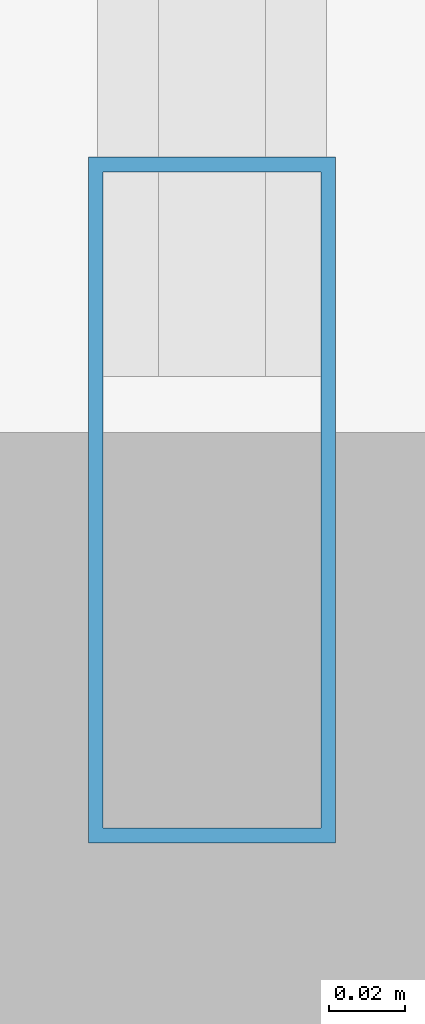
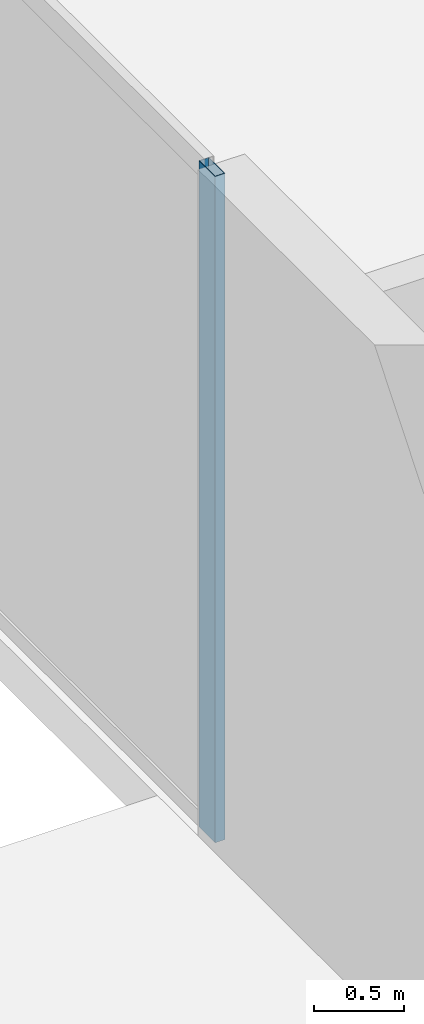
# One storey, part 12 of 58: 1 member, 1 element without a shape of its own.
"""IFC4 building model written with IfcOpenShell, lengths in metres."""

import ifcopenshell
import ifcopenshell.guid

model = None  # the IFC model being written
_history = None  # IfcOwnerHistory: only IFC2X3 demands one
_inside = {}  # id of a spatial element -> (the spatial element, [elements in it])
_under = {}  # id of a project, library or spatial element -> (it, [spatial elements below it])
_declared = {}  # id of a project -> (the project, [libraries it declares])
_typed = {}  # id of a type object -> (the type object, [elements of that type])
_made_of = {}  # id of a material, layer set ... -> (it, [elements and type objects made of it])


def new_model(schema):
    """Start an empty IFC model of exactly this schema.

    Asked for "IFC4X3", IfcOpenShell would pick the latest addendum, in which some entities
    have other attributes; the version numbers below select the first issue.
    IFC2X3 requires an IfcOwnerHistory on every rooted entity: one is made here for all.
    """
    global model, _history
    if schema == "IFC4X3":
        model = ifcopenshell.file(schema_version=(4, 3, 0, 0))
    else:
        model = ifcopenshell.file(schema=schema)
    _inside.clear()
    _under.clear()
    _declared.clear()
    _typed.clear()
    _made_of.clear()
    _history = None
    if model.schema == "IFC2X3":
        org = make("IfcOrganization", Name="unknown")
        user = make(
            "IfcPersonAndOrganization",
            ThePerson=make("IfcPerson", FamilyName="unknown"),
            TheOrganization=org,
        )
        app = make(
            "IfcApplication",
            ApplicationDeveloper=org,
            Version="unknown",
            ApplicationFullName="unknown",
            ApplicationIdentifier="unknown",
        )
        _history = make(
            "IfcOwnerHistory",
            OwningUser=user,
            OwningApplication=app,
            ChangeAction="ADDED",
            CreationDate=0,
        )
    return model


def make(cls, **values):
    """One entity of the class cls with the attributes given. An attribute that is None is left unset."""
    return model.create_entity(
        cls, **{name: value for name, value in values.items() if value is not None}
    )


def rooted(cls, **values):
    """An entity with a GlobalId (a new one), such as an element, a storey or a relation."""
    return make(cls, GlobalId=ifcopenshell.guid.new(), OwnerHistory=_history, **values)


def si_unit(unit_type, name, prefix=None):
    """IfcSIUnit, for example si_unit("LENGTHUNIT", "METRE", prefix="MILLI")."""
    return make("IfcSIUnit", UnitType=unit_type, Prefix=prefix, Name=name)


def assignment(units):
    """IfcUnitAssignment: the units of a project."""
    return None if units is None else make("IfcUnitAssignment", Units=units)


def point(xyz):
    """IfcCartesianPoint."""
    return None if xyz is None else make("IfcCartesianPoint", Coordinates=xyz)


def direction(xyz):
    """IfcDirection."""
    return None if xyz is None else make("IfcDirection", DirectionRatios=xyz)


def frame(location, z_axis=None, x_axis=None):
    """IfcAxis2Placement3D, a coordinate frame: its origin and axes. An axis left out is left unset."""
    return make(
        "IfcAxis2Placement3D",
        Location=point(location),
        Axis=direction(z_axis),
        RefDirection=direction(x_axis),
    )


def frame_2d(location, x_axis=None):
    """IfcAxis2Placement2D, a coordinate frame in the plane: its origin and x axis."""
    return make(
        "IfcAxis2Placement2D", Location=point(location), RefDirection=direction(x_axis)
    )


def origin():
    """The frame at (0, 0, 0) with its axes left unset."""
    return frame((0.0, 0.0, 0.0))


def origin_2d():
    """The frame at (0, 0) in the plane with its x axis left unset."""
    return frame_2d((0.0, 0.0))


def place(relative_to, where):
    """IfcLocalPlacement: puts the frame where relative to a parent placement (None: the world)."""
    return make(
        "IfcLocalPlacement", PlacementRelTo=relative_to, RelativePlacement=where
    )


def context(
    kind, dimensions, precision=None, world=None, true_north=None, identifier=None
):
    """IfcGeometricRepresentationContext, for example the 3D "Model" context."""
    return make(
        "IfcGeometricRepresentationContext",
        ContextIdentifier=identifier,
        ContextType=kind,
        CoordinateSpaceDimension=dimensions,
        Precision=precision,
        WorldCoordinateSystem=world,
        TrueNorth=true_north,
    )


def subcontext(parent, identifier, kind, view, scale=None):
    """IfcGeometricRepresentationSubContext, for example "Body" below "Model"."""
    return make(
        "IfcGeometricRepresentationSubContext",
        ContextIdentifier=identifier,
        ContextType=kind,
        ParentContext=parent,
        TargetScale=scale,
        TargetView=view,
    )


def project(units=None, contexts=None):
    """IfcProject with its units and contexts."""
    return rooted(
        "IfcProject",
        Name="project",
        RepresentationContexts=contexts,
        UnitsInContext=assignment(units),
    )


def spatial(cls, under=None, at=None, **own):
    """A site, building, storey or space (cls), placed at a placement, below another one or the project."""
    s = rooted(cls, ObjectPlacement=at, **own)
    if under is not None:
        _under.setdefault(under.id(), (under, []))[1].append(s)
    return s


def profile(cls, at=None, kind="AREA", **sizes):
    """A parametric profile (cls). Its sizes go by their IFC names, for example OverallWidth=200.0."""
    return make(cls, ProfileType=kind, Position=at, **sizes)


def hollow_rectangle(**sizes):
    """IfcRectangleHollowProfileDef."""
    return profile("IfcRectangleHollowProfileDef", **sizes)


def extrude(swept, where, along, depth):
    """IfcExtrudedAreaSolid: the profile swept, set in the frame where, extruded along a direction by depth."""
    return make(
        "IfcExtrudedAreaSolid",
        SweptArea=swept,
        Position=where,
        ExtrudedDirection=direction(along),
        Depth=depth,
    )


def shape(context_of_items, identifier, shape_type, items):
    """IfcShapeRepresentation: the items that make up one representation, for example the "Body"."""
    return make(
        "IfcShapeRepresentation",
        ContextOfItems=context_of_items,
        RepresentationIdentifier=identifier,
        RepresentationType=shape_type,
        Items=items,
    )


def source(mapping_origin, context_of_items, identifier, shape_type, items):
    """IfcRepresentationMap: a shape defined once, which mapped items show again and again."""
    return make(
        "IfcRepresentationMap",
        MappingOrigin=mapping_origin,
        MappedRepresentation=shape(context_of_items, identifier, shape_type, items),
    )


def transform(
    local_origin,
    x_axis=None,
    y_axis=None,
    z_axis=None,
    scale=None,
    scale2=None,
    scale3=None,
    uniform=True,
):
    """IfcCartesianTransformationOperator3D, or its non-uniform kind. x_axis, y_axis, z_axis: its Axis1, 2, 3."""
    if uniform:
        return make(
            "IfcCartesianTransformationOperator3D",
            Axis1=direction(x_axis),
            Axis2=direction(y_axis),
            LocalOrigin=point(local_origin),
            Scale=scale,
            Axis3=direction(z_axis),
        )
    return make(
        "IfcCartesianTransformationOperator3DnonUniform",
        Axis1=direction(x_axis),
        Axis2=direction(y_axis),
        LocalOrigin=point(local_origin),
        Scale=scale,
        Axis3=direction(z_axis),
        Scale2=scale2,
        Scale3=scale3,
    )


def mapped(mapping_source, mapping_target):
    """IfcMappedItem: shows the shape of a source again, moved by a transform."""
    return make(
        "IfcMappedItem", MappingSource=mapping_source, MappingTarget=mapping_target
    )


def material(Name=None, Category=None):
    """IfcMaterial."""
    return make("IfcMaterial", Name=Name, Category=Category)


def layer(
    of_material, thickness, ventilated=None, Name=None, Category=None, Priority=None
):
    """IfcMaterialLayer: one layer of a wall or slab, of a material (None: an air gap)."""
    return make(
        "IfcMaterialLayer",
        Material=of_material,
        LayerThickness=thickness,
        IsVentilated=ventilated,
        Name=Name,
        Category=Category,
        Priority=Priority,
    )


def layer_set(layers, Name=None):
    """IfcMaterialLayerSet."""
    return make("IfcMaterialLayerSet", MaterialLayers=layers, LayerSetName=Name)


def material_profile(
    of_material, cross_section, Name=None, Category=None, Priority=None
):
    """IfcMaterialProfile: a cross section and its material."""
    return make(
        "IfcMaterialProfile",
        Name=Name,
        Material=of_material,
        Profile=cross_section,
        Priority=Priority,
        Category=Category,
    )


def profile_set(profiles, Name=None, composite=None):
    """IfcMaterialProfileSet."""
    return make(
        "IfcMaterialProfileSet",
        Name=Name,
        MaterialProfiles=profiles,
        CompositeProfile=composite,
    )


def made_of(thing, what):
    """Note that an element or type object is made of a material, layer set ...; save() writes the relation."""
    if what is not None:
        _made_of.setdefault(what.id(), (what, []))[1].append(thing)
    return thing


def type_object(cls, material=None, **own):
    """A type object (cls), such as IfcWallType, which elements share."""
    return made_of(rooted(cls, **own), material)


def element(
    cls,
    number,
    at=None,
    inside=None,
    cuts=None,
    type_object=None,
    material=None,
    context=None,
    identifier="Body",
    shape_type=None,
    held_by="IfcProductDefinitionShape",
    body=None,
    shapes=None,
    **own,
):
    """One element of the class cls, such as IfcWall. Its Tag is "e" and its number.

    at: its placement. inside: the storey or other place that contains it. cuts: it is an
    opening in that element (IfcRelVoidsElement). A single representation is given by context,
    identifier, shape_type and body (its items); several are given by shapes. held_by: the class
    of the entity that holds the representations. save() writes the other relations.
    """
    e = rooted(cls, Tag="e%d" % number, ObjectPlacement=at, **own)
    if body is not None:
        shapes = [shape(context, identifier, shape_type, body)]
    if shapes is not None:
        e.Representation = make(held_by, Representations=shapes)
    if inside is not None:
        _inside.setdefault(inside.id(), (inside, []))[1].append(e)
    if cuts is not None:
        rooted(
            "IfcRelVoidsElement", RelatingBuildingElement=cuts, RelatedOpeningElement=e
        )
    if type_object is not None:
        _typed.setdefault(type_object.id(), (type_object, []))[1].append(e)
    return made_of(e, material)


def aggregate(whole, parts):
    """IfcRelAggregates: a whole, such as a stair, and the parts it consists of."""
    return rooted("IfcRelAggregates", RelatingObject=whole, RelatedObjects=parts)


def save(model, path):
    """Write the relations noted so far, then the file.

    IfcRelAggregates (storeys below a building ...), IfcRelContainedInSpatialStructure (elements
    in a storey), IfcRelDefinesByType, IfcRelAssociatesMaterial and IfcRelDeclares: one each for
    every whole, place, type object, material and project.
    """
    for whole, parts in _under.values():
        aggregate(whole, parts)
    for where, things in _inside.values():
        rooted(
            "IfcRelContainedInSpatialStructure",
            RelatedElements=things,
            RelatingStructure=where,
        )
    for kind, things in _typed.values():
        rooted("IfcRelDefinesByType", RelatedObjects=things, RelatingType=kind)
    for what, things in _made_of.values():
        rooted("IfcRelAssociatesMaterial", RelatedObjects=things, RelatingMaterial=what)
    for by, libraries in _declared.values():
        rooted("IfcRelDeclares", RelatingContext=by, RelatedDefinitions=libraries)
    model.write(path)


model = new_model("IFC4")

# Units and contexts
model_context = context("Model", 3, precision=1e-05, world=origin(), true_north=direction((0.0, 1.0)))
body_context = subcontext(model_context, "Body", "Model", "MODEL_VIEW")
ifc_project = project(units=[si_unit("LENGTHUNIT", "METRE"), si_unit("AREAUNIT", "SQUARE_METRE"), si_unit("VOLUMEUNIT", "CUBIC_METRE"), si_unit("PLANEANGLEUNIT", "RADIAN"), si_unit("MASSUNIT", "GRAM", prefix="KILO"), si_unit("THERMODYNAMICTEMPERATUREUNIT", "KELVIN"), si_unit("POWERUNIT", "WATT")], contexts=[model_context])

# Site, building, storey
site_placement = place(None, origin())
site = spatial("IfcSite", under=ifc_project, at=site_placement, CompositionType="ELEMENT")
building_placement = place(site_placement, origin())
building = spatial("IfcBuilding", under=site, at=building_placement, Name="Yunzhuo Pagoda Commons", CompositionType="ELEMENT")
storey_placement = place(building_placement, origin())
storey = spatial("IfcBuildingStorey", under=building, at=storey_placement, Name="L01", CompositionType="ELEMENT", Elevation=0.0)

# Curtain wall, member
ifc_material = material(Name="Anodized aluminium 6063-T6", Category="aluminium")
ifc_layer = layer(ifc_material, 0.179931640625)
ifc_layer_set = layer_set([ifc_layer], Name="Anodized aluminium 6063-T6")
curtain_wall_type = type_object("IfcCurtainWallType", Name="CW-POD Waterfront Podium Curtain Wall", PredefinedType="NOTDEFINED", material=ifc_layer_set)
curtain_wall_placement = place(storey_placement, origin())
curtain_wall = element("IfcCurtainWall", 1, at=curtain_wall_placement, inside=storey, type_object=curtain_wall_type, Name="L01 curtain wall CW-L01-W3", PredefinedType="NOTDEFINED")
ifc_material_profile = material_profile(ifc_material, hollow_rectangle(XDim=0.06494140625, YDim=0.179931640625, WallThickness=0.00390625, at=origin_2d()), Name="Anodized aluminium 6063-T6")
ifc_profile_set = profile_set([ifc_material_profile], Name="Anodized aluminium 6063-T6")
member_type = type_object("IfcMemberType", Name="CW-POD-M Mullion RHS 180x65x4", PredefinedType="MULLION", material=ifc_profile_set)
shared_shape = source(origin(), body_context, "Body", "SweptSolid", [
    extrude(hollow_rectangle(XDim=0.06494140625, YDim=0.179931640625, WallThickness=0.00390625, at=origin_2d()), origin(), (0.0, 0.0, 1.0), 4.520263671875),
])
member_placement = place(storey_placement, frame((4.080078125, 51.032470703125, 0.0), z_axis=(0.0, 0.0, 1.0), x_axis=(-1.0, 0.0, 0.0)))
member = element("IfcMember", 2, at=member_placement, type_object=member_type, Name="CW mullion 1", PredefinedType="MULLION", context=body_context, shape_type="MappedRepresentation", body=[
    mapped(shared_shape, transform((0.0, 0.0, 0.0), scale=1.0)),
])
aggregate(curtain_wall, [member])

save(model, "model.ifc")
